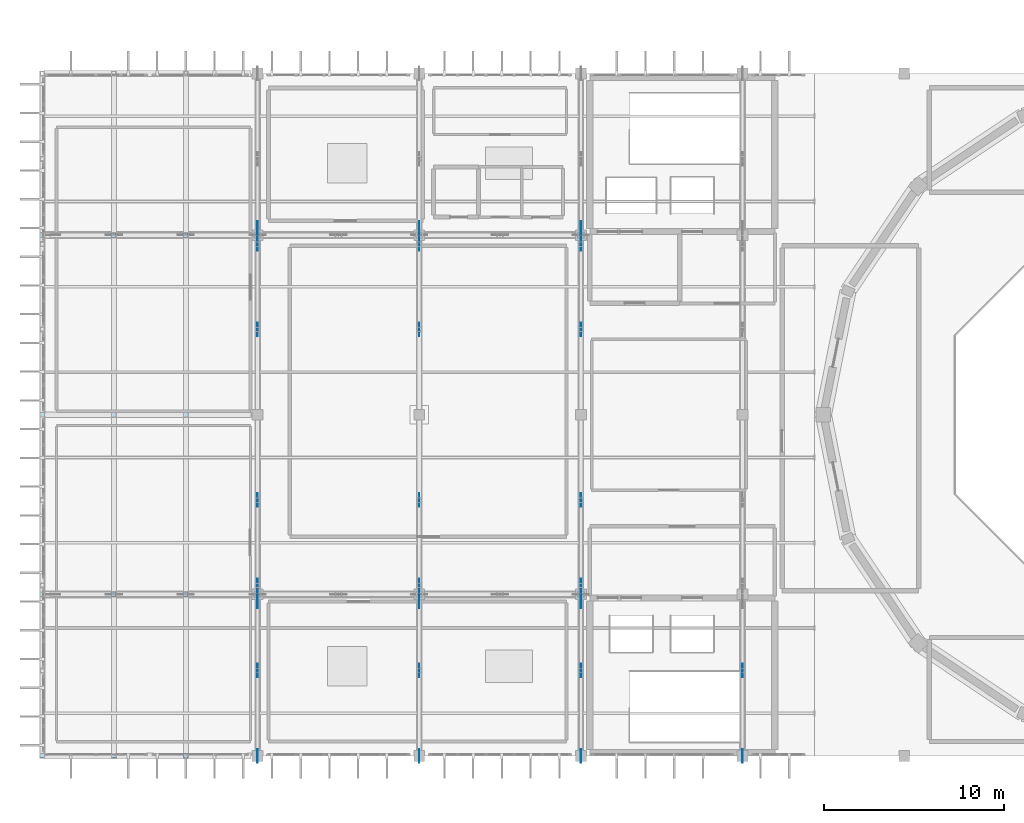
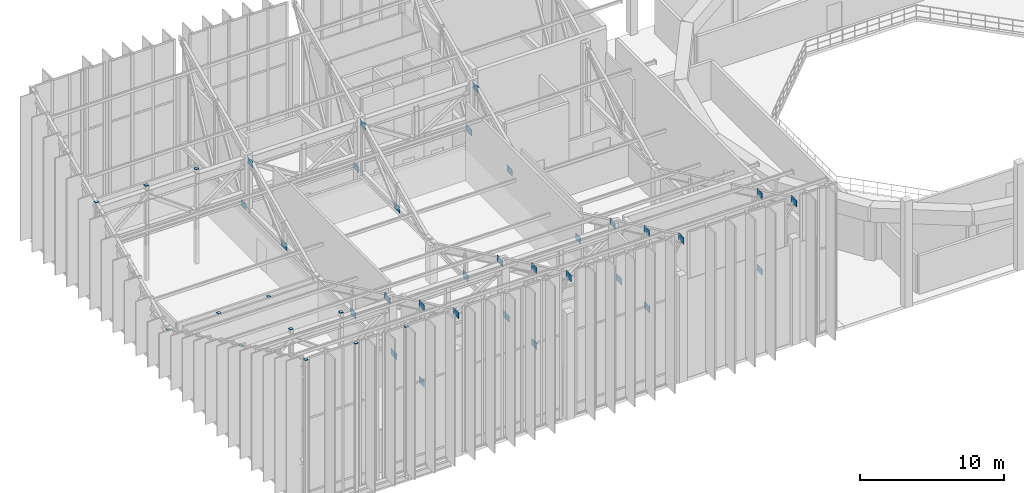
# One storey, part 53 of 68: 42 plates.
"""IFC4 building model written with IfcOpenShell, lengths in metres."""

from ifc_helpers import new_model, si_unit, direction, frame, origin, origin_2d, place, context, subcontext, project, spatial, rectangle, extrude, material, layer, layer_set, type_object, element, save


model = new_model("IFC4")

# Units and contexts
model_context = context("Model", 3, precision=1e-05, world=origin(), true_north=direction((0.0, 1.0)))
body_context = subcontext(model_context, "Body", "Model", "MODEL_VIEW")
ifc_project = project(units=[si_unit("LENGTHUNIT", "METRE"), si_unit("AREAUNIT", "SQUARE_METRE"), si_unit("VOLUMEUNIT", "CUBIC_METRE"), si_unit("PLANEANGLEUNIT", "RADIAN"), si_unit("MASSUNIT", "GRAM", prefix="KILO")], contexts=[model_context])

# Site, building, storey
site_placement = place(None, origin())
site = spatial("IfcSite", under=ifc_project, at=site_placement, CompositionType="ELEMENT")
building_placement = place(site_placement, origin())
building = spatial("IfcBuilding", under=site, at=building_placement, Name="Miravela Opera House", CompositionType="ELEMENT")
storey_placement = place(building_placement, frame((0.0, 0.0, 21.760009765625)))
storey = spatial("IfcBuildingStorey", under=building, at=storey_placement, Name="L05", CompositionType="ELEMENT", Elevation=21.760009765625)

# Plates
ifc_material = material(Name="Structural steel ASTM A572 Gr. 50", Category="steel")
ifc_layer_1 = layer(ifc_material, 0.01611328125)
ifc_layer_set_1 = layer_set([ifc_layer_1])
plate_type_1 = type_object("IfcPlateType", Name="STR-PL-CAP-250X250X16", PredefinedType="SHEET", material=ifc_layer_set_1)
for number, where, z_axis, x_axis, name in (
    (1, (15.0, 37.0, 12.238037109375), (0.0, 0.0, 1.0), (1.0, 0.0, 0.0), "HSS Welded End Cap Plate 002"),
    (2, (19.0, 37.0, 12.238037109375), (0.0, 0.0, 1.0), (1.0, 0.0, 0.0), "HSS Welded End Cap Plate 005"),
    (3, (23.0, 37.0, 12.238037109375), (0.0, 0.0, 1.0), (1.0, 0.0, 0.0), "HSS Welded End Cap Plate 007"),
    (4, (15.0, 46.0, 7.974853515625), (0.0, 0.0, 1.0), (1.0, 0.0, 0.0), "HSS Welded End Cap Plate 014"),
    (5, (19.0, 46.0, 7.974853515625), (0.0, 0.0, 1.0), (1.0, 0.0, 0.0), "HSS Welded End Cap Plate 017"),
    (6, (23.0, 46.0, 7.974853515625), (0.0, 0.0, 1.0), (1.0, 0.0, 0.0), "HSS Welded End Cap Plate 019"),
    (7, (15.0, 56.0, 3.238037109375), (0.0, 0.0, 1.0), (1.0, 0.0, 0.0), "HSS Welded End Cap Plate 021"),
    (8, (19.0, 56.0, 3.238037109375), (0.0, 0.0, 1.0), (1.0, 0.0, 0.0), "HSS Welded End Cap Plate 024"),
    (9, (23.0, 56.0, 3.238037109375), (0.0, 0.0, 1.0), (1.0, 0.0, 0.0), "HSS Welded End Cap Plate 026"),
    (10, (15.0, 66.0, 7.974853515625), (0.0, 0.0, 1.0), (1.0, 0.0, 0.0), "HSS Welded End Cap Plate 028"),
    (11, (19.0, 66.0, 7.974853515625), (0.0, 0.0, 1.0), (1.0, 0.0, 0.0), "HSS Welded End Cap Plate 031"),
    (12, (23.0, 66.0, 7.974853515625), (0.0, 0.0, 1.0), (1.0, 0.0, 0.0), "HSS Welded End Cap Plate 033"),
):
    element("IfcPlate", number, at=place(storey_placement, frame(where, z_axis=z_axis, x_axis=x_axis)), inside=storey, type_object=plate_type_1, Name=name, PredefinedType="SHEET", context=body_context, shape_type="SweptSolid", body=[
        extrude(rectangle(XDim=0.25, YDim=0.25, at=origin_2d()), origin(), (0.0, 0.0, 1.0), 0.01611328125),
    ])
ifc_layer_2 = layer(ifc_material, 0.02001953125)
ifc_layer_set_2 = layer_set([ifc_layer_2])
plate_type_2 = type_object("IfcPlateType", Name="STR-PL-GUS-750X550X20", PredefinedType="USERDEFINED", material=ifc_layer_set_2)
for number, where, z_axis, x_axis, name in (
    (13, (27.0, 41.75, 3.0048828125), (0.0, 0.0, 1.0), (0.0, 1.0, 0.0), "Brace Node Gusset Plate 437"),
    (14, (27.0, 37.0, 11.6650390625), (0.0, 0.0, 1.0), (0.0, 1.0, 0.0), "Brace Node Gusset Plate 438"),
    (15, (27.0, 45.60009765625, 3.0048828125), (0.0, 0.0, 1.0), (0.0, 1.0, 0.0), "Brace Node Gusset Plate 439"),
    (16, (27.0, 41.75, 9.4150390625), (0.0, 0.0, 1.0), (0.0, 1.0, 0.0), "Brace Node Gusset Plate 440"),
    (17, (27.0, 51.25, 3.0048828125), (0.0, 0.0, 1.0), (0.0, 1.0, 0.0), "Brace Node Gusset Plate 441"),
    (18, (27.0, 46.5, 7.1650390625), (0.0, 0.0, 1.0), (0.0, 1.0, 0.0), "Brace Node Gusset Plate 442"),
    (19, (27.0, 60.75, 3.0048828125), (0.0, 0.0, 1.0), (0.0, 1.0, 0.0), "Brace Node Gusset Plate 443"),
    (20, (27.0, 65.5, 7.1650390625), (0.0, 0.0, 1.0), (0.0, 1.0, 0.0), "Brace Node Gusset Plate 444"),
    (21, (27.0, 66.39990234375, 3.0048828125), (0.0, 0.0, 1.0), (0.0, 1.0, 0.0), "Brace Node Gusset Plate 445"),
    (22, (36.0, 41.75, 3.0048828125), (0.0, 0.0, 1.0), (0.0, 1.0, 0.0), "Brace Node Gusset Plate 449"),
    (23, (36.0, 37.0, 11.6650390625), (0.0, 0.0, 1.0), (0.0, 1.0, 0.0), "Brace Node Gusset Plate 450"),
    (24, (36.0, 45.60009765625, 3.0048828125), (0.0, 0.0, 1.0), (0.0, 1.0, 0.0), "Brace Node Gusset Plate 451"),
    (25, (36.0, 41.75, 9.4150390625), (0.0, 0.0, 1.0), (0.0, 1.0, 0.0), "Brace Node Gusset Plate 452"),
    (26, (36.0, 51.25, 3.0048828125), (0.0, 0.0, 1.0), (0.0, 1.0, 0.0), "Brace Node Gusset Plate 453"),
    (27, (36.0, 46.5, 7.1650390625), (0.0, 0.0, 1.0), (0.0, 1.0, 0.0), "Brace Node Gusset Plate 454"),
    (28, (36.0, 60.75, 3.0048828125), (0.0, 0.0, 1.0), (0.0, 1.0, 0.0), "Brace Node Gusset Plate 455"),
    (29, (36.0, 65.5, 7.1650390625), (0.0, 0.0, 1.0), (0.0, 1.0, 0.0), "Brace Node Gusset Plate 456"),
    (30, (36.0, 66.39990234375, 3.0048828125), (0.0, 0.0, 1.0), (0.0, 1.0, 0.0), "Brace Node Gusset Plate 457"),
    (31, (45.0, 41.75, 3.0048828125), (0.0, 0.0, 1.0), (0.0, 1.0, 0.0), "Brace Node Gusset Plate 461"),
    (32, (45.0, 37.0, 11.6650390625), (0.0, 0.0, 1.0), (0.0, 1.0, 0.0), "Brace Node Gusset Plate 462"),
    (33, (45.0, 45.60009765625, 3.0048828125), (0.0, 0.0, 1.0), (0.0, 1.0, 0.0), "Brace Node Gusset Plate 463"),
    (34, (45.0, 41.75, 9.4150390625), (0.0, 0.0, 1.0), (0.0, 1.0, 0.0), "Brace Node Gusset Plate 464"),
    (35, (45.0, 51.25, 3.0048828125), (0.0, 0.0, 1.0), (0.0, 1.0, 0.0), "Brace Node Gusset Plate 465"),
    (36, (45.0, 46.5, 7.1650390625), (0.0, 0.0, 1.0), (0.0, 1.0, 0.0), "Brace Node Gusset Plate 466"),
    (37, (45.0, 60.75, 3.0048828125), (0.0, 0.0, 1.0), (0.0, 1.0, 0.0), "Brace Node Gusset Plate 467"),
    (38, (45.0, 65.5, 7.1650390625), (0.0, 0.0, 1.0), (0.0, 1.0, 0.0), "Brace Node Gusset Plate 468"),
    (39, (45.0, 66.39990234375, 3.0048828125), (0.0, 0.0, 1.0), (0.0, 1.0, 0.0), "Brace Node Gusset Plate 469"),
    (40, (54.0, 41.75, 3.0048828125), (0.0, 0.0, 1.0), (0.0, 1.0, 0.0), "Brace Node Gusset Plate 473"),
    (41, (54.0, 37.0, 11.6650390625), (0.0, 0.0, 1.0), (0.0, 1.0, 0.0), "Brace Node Gusset Plate 474"),
    (42, (54.0, 41.75, 9.4150390625), (0.0, 0.0, 1.0), (0.0, 1.0, 0.0), "Brace Node Gusset Plate 476"),
):
    element("IfcPlate", number, at=place(storey_placement, frame(where, z_axis=z_axis, x_axis=x_axis)), inside=storey, type_object=plate_type_2, Name=name, ObjectType="GUSSET PLATE", PredefinedType="USERDEFINED", context=body_context, shape_type="SweptSolid", body=[
        extrude(rectangle(XDim=0.75, YDim=0.02001953125, at=origin_2d()), origin(), (0.0, 0.0, 1.0), 0.550048828125),
    ])

save(model, "model.ifc")
